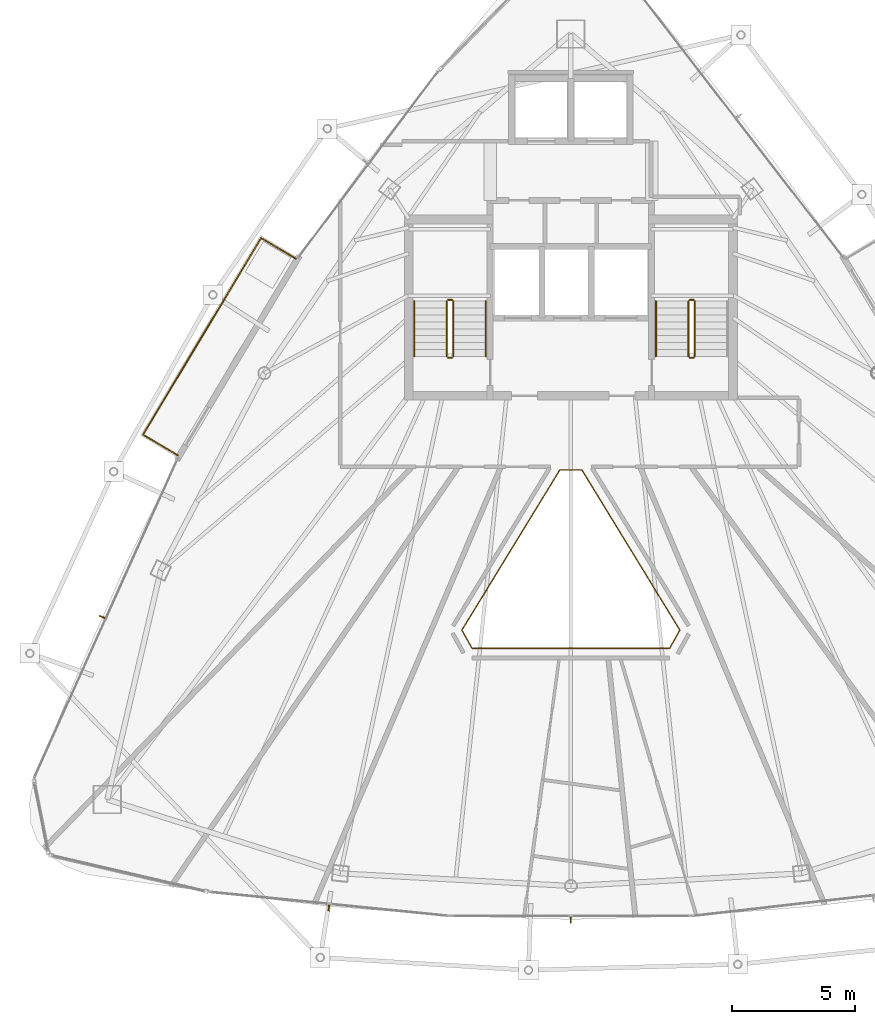
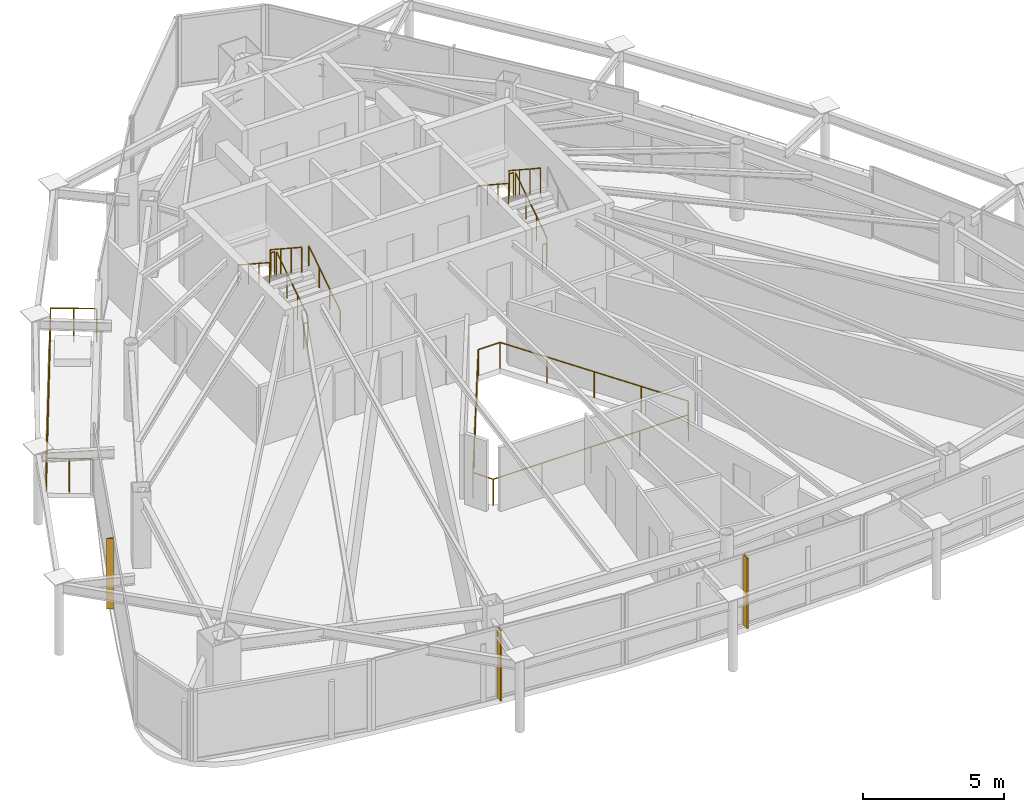
# One storey, part 27 of 28: 13 railings, 3 shading devices.
"""IFC4 building model written with IfcOpenShell, lengths in metres."""

from ifc_helpers import new_model, si_unit, direction, frame, origin, origin_2d, place, context, subcontext, project, spatial, rectangle, circle, extrude, material, layer, layer_set, type_object, element, save


model = new_model("IFC4")

# Units and contexts
model_context = context("Model", 3, precision=1e-05, world=origin(), true_north=direction((0.0, 1.0)))
body_context = subcontext(model_context, "Body", "Model", "MODEL_VIEW")
ifc_project = project(units=[si_unit("LENGTHUNIT", "METRE"), si_unit("AREAUNIT", "SQUARE_METRE"), si_unit("VOLUMEUNIT", "CUBIC_METRE"), si_unit("PLANEANGLEUNIT", "RADIAN"), si_unit("MASSUNIT", "GRAM", prefix="KILO")], contexts=[model_context])

# Site, building, storey
site_placement = place(None, origin())
site = spatial("IfcSite", under=ifc_project, at=site_placement, CompositionType="ELEMENT")
building_placement = place(site_placement, origin())
building = spatial("IfcBuilding", under=site, at=building_placement, Name="Orvanel Arch Residences", CompositionType="ELEMENT")
storey_placement = place(building_placement, frame((0.0, 0.0, 266.75)))
storey = spatial("IfcBuildingStorey", under=building, at=storey_placement, Name="L76", CompositionType="ELEMENT", Elevation=266.75)

# Shading devices
ifc_material_1 = material(Name="Bronze-anodised aluminium AA6063-T6", Category="aluminium")
ifc_layer = layer(ifc_material_1, 0.050048828125)
ifc_layer_set = layer_set([ifc_layer], Name="Bronze-anodised aluminium AA6063-T6")
shading_device_type = type_object("IfcShadingDeviceType", Name="FIN-BRZ-260", PredefinedType="USERDEFINED", material=ifc_layer_set)
for number, where, z_axis, x_axis, name in (
    (1, (13.998046875, 17.75, 0.0), (0.0, 0.0, 1.0), (-0.912120116172, 0.409923033842, 0.0), "L76 Anodised Bronze Mullion FIN 01"),
    (2, (23.18310546875, 5.9599609375, 0.0), (0.0, 0.0, 1.0), (-0.099319749744, -0.995055569961, 0.0), "L76 Anodised Bronze Mullion FIN 01"),
    (3, (33.0, 5.468017578125, 0.0), (0.0, 0.0, 1.0), (0.0, -1.0, 0.0), "L76 Anodised Bronze Mullion FIN 01"),
):
    element("IfcShadingDevice", number, at=place(storey_placement, frame(where, z_axis=z_axis, x_axis=x_axis)), inside=storey, type_object=shading_device_type, Name=name, ObjectType="FIN", PredefinedType="USERDEFINED", context=body_context, shape_type="SweptSolid", body=[
        extrude(rectangle(XDim=0.260009765625, YDim=0.050048828125, at=origin_2d()), origin(), (0.0, 0.0, 1.0), 3.06005859375),
    ])

# Railings
railing_type_1 = type_object("IfcRailingType", Name="RL-ATR-1150", PredefinedType="BALUSTRADE", material=ifc_material_1)
railing_1_placement = place(storey_placement, frame((33.447021484375, 23.7119140625, 0.0)))
element("IfcRailing", 4, at=railing_1_placement, inside=storey, type_object=railing_type_1, Name="L76 Atrium Void Protective Balustrade", PredefinedType="BALUSTRADE", context=body_context, shape_type="SweptSolid", body=[
    extrude(circle(Radius=0.02392578125, at=origin_2d()), frame((-0.00146484375, 0.0, 1.1259765625), z_axis=(-1.0, 0.0, 0.0), x_axis=(0.0, -1.0, 0.0)), (0.0, 0.0, 1.0), 0.89111328125),
    extrude(circle(Radius=0.02392578125, at=origin_2d()), frame((-0.894775390625, -0.001220703125, 1.1259765625), z_axis=(-0.521612229543, -0.853182677972, 0.0), x_axis=(0.853182677972, -0.521612229543, 0.0)), (0.0, 0.0, 1.0), 7.606201171875),
    extrude(circle(Radius=0.02392578125, at=origin_2d()), frame((-4.8623046875, -6.4931640625, 1.1259765625), z_axis=(0.488629954368, -0.872491127573, 0.0), x_axis=(0.872491127573, 0.488629954368, 0.0)), (0.0, 0.0, 1.0), 0.8359375),
    extrude(circle(Radius=0.02392578125, at=origin_2d()), frame((-4.45166015625, -7.223876953125, 1.1259765625), z_axis=(1.0, 0.0, 0.0), x_axis=(0.0, 1.0, 0.0)), (0.0, 0.0, 1.0), 8.00927734375),
    extrude(circle(Radius=0.02392578125, at=origin_2d()), frame((3.559814453125, -7.22265625, 1.1259765625), z_axis=(0.488629954368, 0.872491127573, 0.0), x_axis=(-0.872491127573, 0.488629954368, 0.0)), (0.0, 0.0, 1.0), 0.8359375),
    extrude(circle(Radius=0.02392578125, at=origin_2d()), frame((3.96826171875, -6.49072265625, 1.1259765625), z_axis=(-0.521612229543, 0.853182677972, 0.0), x_axis=(-0.853182677972, -0.521612229543, 0.0)), (0.0, 0.0, 1.0), 7.606201171875),
    extrude(circle(Radius=0.02099609375, at=origin_2d()), origin(), (0.0, 0.0, 1.0), 1.099853515625),
    extrude(circle(Radius=0.02099609375, at=origin_2d()), frame((-0.89404296875, 0.0, 0.0)), (0.0, 0.0, 1.0), 1.099853515625),
    extrude(circle(Radius=0.02099609375, at=origin_2d()), frame((-1.88623046875, -1.623046875, 0.0)), (0.0, 0.0, 1.0), 1.099853515625),
    extrude(circle(Radius=0.02099609375, at=origin_2d()), frame((-2.87841796875, -3.24609375, 0.0)), (0.0, 0.0, 1.0), 1.099853515625),
    extrude(circle(Radius=0.02099609375, at=origin_2d()), frame((-3.870849609375, -4.868896484375, 0.0)), (0.0, 0.0, 1.0), 1.099853515625),
    extrude(circle(Radius=0.02099609375, at=origin_2d()), frame((-4.863037109375, -6.491943359375, 0.0)), (0.0, 0.0, 1.0), 1.099853515625),
    extrude(circle(Radius=0.02099609375, at=origin_2d()), frame((-4.453125, -7.223876953125, 0.0)), (0.0, 0.0, 1.0), 1.099853515625),
    extrude(circle(Radius=0.02099609375, at=origin_2d()), frame((-2.4501953125, -7.223876953125, 0.0)), (0.0, 0.0, 1.0), 1.099853515625),
    extrude(circle(Radius=0.02099609375, at=origin_2d()), frame((-0.447021484375, -7.223876953125, 0.0)), (0.0, 0.0, 1.0), 1.099853515625),
    extrude(circle(Radius=0.02099609375, at=origin_2d()), frame((1.55615234375, -7.223876953125, 0.0)), (0.0, 0.0, 1.0), 1.099853515625),
    extrude(circle(Radius=0.02099609375, at=origin_2d()), frame((3.55908203125, -7.223876953125, 0.0)), (0.0, 0.0, 1.0), 1.099853515625),
    extrude(circle(Radius=0.02099609375, at=origin_2d()), frame((3.968994140625, -6.491943359375, 0.0)), (0.0, 0.0, 1.0), 1.099853515625),
    extrude(circle(Radius=0.02099609375, at=origin_2d()), frame((2.976806640625, -4.868896484375, 0.0)), (0.0, 0.0, 1.0), 1.099853515625),
    extrude(circle(Radius=0.02099609375, at=origin_2d()), frame((1.984375, -3.24609375, 0.0)), (0.0, 0.0, 1.0), 1.099853515625),
    extrude(circle(Radius=0.02099609375, at=origin_2d()), frame((0.9921875, -1.623046875, 0.0)), (0.0, 0.0, 1.0), 1.099853515625),
])
railing_type_2 = type_object("IfcRailingType", Name="RL-BAL-1480", PredefinedType="BALUSTRADE", material=ifc_material_1)
railing_2_placement = place(storey_placement, frame((21.844970703125, 32.282958984375, 0.0)))
element("IfcRailing", 5, at=railing_2_placement, inside=storey, type_object=railing_type_2, Name="L76 Balcony Perimeter Guardrail Face 1", PredefinedType="BALUSTRADE", context=body_context, shape_type="SweptSolid", body=[
    extrude(circle(Radius=0.02392578125, at=origin_2d()), frame((-0.001220703125, 0.000732421875, 1.4560546875), z_axis=(-0.857387817543, 0.514670895164, 0.0), x_axis=(-0.514670895164, -0.857387817543, 0.0)), (0.0, 0.0, 1.0), 1.636962890625),
    extrude(circle(Radius=0.02392578125, at=origin_2d()), frame((-1.40673828125, 0.8427734375, 1.4560546875), z_axis=(-0.514422430239, -0.857536916562, 0.0), x_axis=(0.857536916562, -0.514422430239, 0.0)), (0.0, 0.0, 1.0), 9.300537109375),
    extrude(circle(Radius=0.02392578125, at=origin_2d()), frame((-6.190673828125, -7.134765625, 1.4560546875), z_axis=(0.857545439568, -0.514408222208, 0.0), x_axis=(0.514408222208, 0.857545439568, 0.0)), (0.0, 0.0, 1.0), 1.6376953125),
    extrude(circle(Radius=0.02099609375, at=origin_2d()), origin(), (0.0, 0.0, 1.0), 1.429931640625),
    extrude(circle(Radius=0.02099609375, at=origin_2d()), frame((-0.703125, 0.421875, 0.0)), (0.0, 0.0, 1.0), 1.429931640625),
    extrude(circle(Radius=0.02099609375, at=origin_2d()), frame((-1.406005859375, 0.843994140625, 0.0)), (0.0, 0.0, 1.0), 1.429931640625),
    extrude(circle(Radius=0.02099609375, at=origin_2d()), frame((-2.004150390625, -0.1533203125, 0.0)), (0.0, 0.0, 1.0), 1.429931640625),
    extrude(circle(Radius=0.02099609375, at=origin_2d()), frame((-2.6025390625, -1.150390625, 0.0)), (0.0, 0.0, 1.0), 1.429931640625),
    extrude(circle(Radius=0.02099609375, at=origin_2d()), frame((-3.20068359375, -2.147705078125, 0.0)), (0.0, 0.0, 1.0), 1.429931640625),
    extrude(circle(Radius=0.02099609375, at=origin_2d()), frame((-3.798828125, -3.14501953125, 0.0)), (0.0, 0.0, 1.0), 1.429931640625),
    extrude(circle(Radius=0.02099609375, at=origin_2d()), frame((-4.397216796875, -4.142333984375, 0.0)), (0.0, 0.0, 1.0), 1.429931640625),
    extrude(circle(Radius=0.02099609375, at=origin_2d()), frame((-4.995361328125, -5.1396484375, 0.0)), (0.0, 0.0, 1.0), 1.429931640625),
    extrude(circle(Radius=0.02099609375, at=origin_2d()), frame((-5.59375, -6.13671875, 0.0)), (0.0, 0.0, 1.0), 1.429931640625),
    extrude(circle(Radius=0.02099609375, at=origin_2d()), frame((-6.19189453125, -7.134033203125, 0.0)), (0.0, 0.0, 1.0), 1.429931640625),
    extrude(circle(Radius=0.02099609375, at=origin_2d()), frame((-5.48828125, -7.55615234375, 0.0)), (0.0, 0.0, 1.0), 1.429931640625),
    extrude(circle(Radius=0.02099609375, at=origin_2d()), frame((-4.784912109375, -7.97802734375, 0.0)), (0.0, 0.0, 1.0), 1.429931640625),
])
ifc_material_2 = material(Name="Structural steel AS/NZS 1163 C350L0 (Grade 350)", Category="steel")
railing_type_3 = type_object("IfcRailingType", Name="RL-STAIR-GUARD", PredefinedType="GUARDRAIL", material=ifc_material_2)
railing_3_placement = place(storey_placement, frame((28.22998046875, 28.320068359375, 0.183349609375)))
element("IfcRailing", 6, at=railing_3_placement, inside=storey, type_object=railing_type_3, Name="L76 ST-1 stair guard 1", PredefinedType="GUARDRAIL", context=body_context, shape_type="SweptSolid", body=[
    extrude(circle(Radius=0.02392578125, at=origin_2d()), frame((0.0, 0.001220703125, 1.076904296875), z_axis=(0.0, 0.836636935527, 0.547757827979), x_axis=(-1.0, 0.0, 0.0)), (0.0, 0.0, 1.0), 2.67431640625),
    extrude(circle(Radius=0.02099609375, at=origin_2d()), origin(), (0.0, 0.0, 1.0), 1.050048828125),
    extrude(circle(Radius=0.02099609375, at=origin_2d()), frame((0.0, 0.74658203125, 0.48876953125)), (0.0, 0.0, 1.0), 1.050048828125),
    extrude(circle(Radius=0.02099609375, at=origin_2d()), frame((0.0, 1.493408203125, 0.977783203125)), (0.0, 0.0, 1.0), 1.050048828125),
    extrude(circle(Radius=0.02099609375, at=origin_2d()), frame((0.0, 2.239990234375, 1.466552734375)), (0.0, 0.0, 1.0), 1.050048828125),
])
railing_4_placement = place(storey_placement, frame((28.179931640625, 30.610107421875, 1.64990234375)))
element("IfcRailing", 7, at=railing_4_placement, inside=storey, type_object=railing_type_3, Name="L76 ST-1 stair guard 2", PredefinedType="GUARDRAIL", context=body_context, shape_type="SweptSolid", body=[
    extrude(circle(Radius=0.02392578125, at=origin_2d()), frame((-0.00146484375, 0.0, 1.076171875), z_axis=(-1.0, 0.0, 0.0), x_axis=(0.0, -1.0, 0.0)), (0.0, 0.0, 1.0), 0.156982421875),
    extrude(circle(Radius=0.02099609375, at=origin_2d()), origin(), (0.0, 0.0, 1.0), 1.050048828125),
    extrude(circle(Radius=0.02099609375, at=origin_2d()), frame((-0.159912109375, 0.0, 0.0)), (0.0, 0.0, 1.0), 1.050048828125),
])
railing_5_placement = place(storey_placement, frame((27.969970703125, 30.56005859375, 1.833251953125)))
element("IfcRailing", 8, at=railing_5_placement, inside=storey, type_object=railing_type_3, Name="L76 ST-1 stair guard 3", PredefinedType="GUARDRAIL", context=body_context, shape_type="SweptSolid", body=[
    extrude(circle(Radius=0.02392578125, at=origin_2d()), frame((0.0, -0.001220703125, 1.076904296875), z_axis=(0.0, -0.836595146698, 0.547821650285), x_axis=(1.0, 0.0, 0.0)), (0.0, 0.0, 1.0), 2.674560546875),
    extrude(circle(Radius=0.02099609375, at=origin_2d()), origin(), (0.0, 0.0, 1.0), 1.050048828125),
    extrude(circle(Radius=0.02099609375, at=origin_2d()), frame((0.0, -0.74658203125, 0.489013671875)), (0.0, 0.0, 1.0), 1.050048828125),
    extrude(circle(Radius=0.02099609375, at=origin_2d()), frame((0.0, -1.493408203125, 0.977783203125)), (0.0, 0.0, 1.0), 1.050048828125),
    extrude(circle(Radius=0.02099609375, at=origin_2d()), frame((0.0, -2.239990234375, 1.466796875)), (0.0, 0.0, 1.0), 1.050048828125),
])
railing_6_placement = place(storey_placement, frame((28.179931640625, 28.27001953125, 0.0)))
element("IfcRailing", 9, at=railing_6_placement, inside=storey, type_object=railing_type_3, Name="L76 ST-1 stair guard 4", PredefinedType="GUARDRAIL", context=body_context, shape_type="SweptSolid", body=[
    extrude(circle(Radius=0.02392578125, at=origin_2d()), frame((-0.00146484375, 0.0, 1.076171875), z_axis=(-1.0, 0.0, 0.0), x_axis=(0.0, -1.0, 0.0)), (0.0, 0.0, 1.0), 0.156982421875),
    extrude(circle(Radius=0.02099609375, at=origin_2d()), origin(), (0.0, 0.0, 1.0), 1.050048828125),
    extrude(circle(Radius=0.02099609375, at=origin_2d()), frame((-0.159912109375, 0.0, 0.0)), (0.0, 0.0, 1.0), 1.050048828125),
])
railing_7_placement = place(storey_placement, frame((38.030029296875, 28.320068359375, 0.183349609375)))
element("IfcRailing", 10, at=railing_7_placement, inside=storey, type_object=railing_type_3, Name="L76 ST-2 stair guard 1", PredefinedType="GUARDRAIL", context=body_context, shape_type="SweptSolid", body=[
    extrude(circle(Radius=0.02392578125, at=origin_2d()), frame((0.0, 0.001220703125, 1.076904296875), z_axis=(0.0, 0.836636935527, 0.547757827979), x_axis=(-1.0, 0.0, 0.0)), (0.0, 0.0, 1.0), 2.67431640625),
    extrude(circle(Radius=0.02099609375, at=origin_2d()), origin(), (0.0, 0.0, 1.0), 1.050048828125),
    extrude(circle(Radius=0.02099609375, at=origin_2d()), frame((0.0, 0.74658203125, 0.48876953125)), (0.0, 0.0, 1.0), 1.050048828125),
    extrude(circle(Radius=0.02099609375, at=origin_2d()), frame((0.0, 1.493408203125, 0.977783203125)), (0.0, 0.0, 1.0), 1.050048828125),
    extrude(circle(Radius=0.02099609375, at=origin_2d()), frame((0.0, 2.239990234375, 1.466552734375)), (0.0, 0.0, 1.0), 1.050048828125),
])
railing_8_placement = place(storey_placement, frame((37.97998046875, 30.610107421875, 1.64990234375)))
element("IfcRailing", 11, at=railing_8_placement, inside=storey, type_object=railing_type_3, Name="L76 ST-2 stair guard 2", PredefinedType="GUARDRAIL", context=body_context, shape_type="SweptSolid", body=[
    extrude(circle(Radius=0.02392578125, at=origin_2d()), frame((-0.00146484375, 0.0, 1.076171875), z_axis=(-1.0, 0.0, 0.0), x_axis=(0.0, -1.0, 0.0)), (0.0, 0.0, 1.0), 0.156982421875),
    extrude(circle(Radius=0.02099609375, at=origin_2d()), origin(), (0.0, 0.0, 1.0), 1.050048828125),
    extrude(circle(Radius=0.02099609375, at=origin_2d()), frame((-0.159912109375, 0.0, 0.0)), (0.0, 0.0, 1.0), 1.050048828125),
])
railing_9_placement = place(storey_placement, frame((37.77001953125, 30.56005859375, 1.833251953125)))
element("IfcRailing", 12, at=railing_9_placement, inside=storey, type_object=railing_type_3, Name="L76 ST-2 stair guard 3", PredefinedType="GUARDRAIL", context=body_context, shape_type="SweptSolid", body=[
    extrude(circle(Radius=0.02392578125, at=origin_2d()), frame((0.0, -0.001220703125, 1.076904296875), z_axis=(0.0, -0.836595146698, 0.547821650285), x_axis=(1.0, 0.0, 0.0)), (0.0, 0.0, 1.0), 2.674560546875),
    extrude(circle(Radius=0.02099609375, at=origin_2d()), origin(), (0.0, 0.0, 1.0), 1.050048828125),
    extrude(circle(Radius=0.02099609375, at=origin_2d()), frame((0.0, -0.74658203125, 0.489013671875)), (0.0, 0.0, 1.0), 1.050048828125),
    extrude(circle(Radius=0.02099609375, at=origin_2d()), frame((0.0, -1.493408203125, 0.977783203125)), (0.0, 0.0, 1.0), 1.050048828125),
    extrude(circle(Radius=0.02099609375, at=origin_2d()), frame((0.0, -2.239990234375, 1.466796875)), (0.0, 0.0, 1.0), 1.050048828125),
])
railing_10_placement = place(storey_placement, frame((37.97998046875, 28.27001953125, 0.0)))
element("IfcRailing", 13, at=railing_10_placement, inside=storey, type_object=railing_type_3, Name="L76 ST-2 stair guard 4", PredefinedType="GUARDRAIL", context=body_context, shape_type="SweptSolid", body=[
    extrude(circle(Radius=0.02392578125, at=origin_2d()), frame((-0.00146484375, 0.0, 1.076171875), z_axis=(-1.0, 0.0, 0.0), x_axis=(0.0, -1.0, 0.0)), (0.0, 0.0, 1.0), 0.156982421875),
    extrude(circle(Radius=0.02099609375, at=origin_2d()), origin(), (0.0, 0.0, 1.0), 1.050048828125),
    extrude(circle(Radius=0.02099609375, at=origin_2d()), frame((-0.159912109375, 0.0, 0.0)), (0.0, 0.0, 1.0), 1.050048828125),
])
railing_type_4 = type_object("IfcRailingType", Name="RL-STAIR-HAND", PredefinedType="HANDRAIL", material=ifc_material_2)
railing_11_placement = place(storey_placement, frame((29.550048828125, 28.320068359375, 0.183349609375)))
element("IfcRailing", 14, at=railing_11_placement, inside=storey, type_object=railing_type_4, Name="L76 ST-1 stair handrail 1", PredefinedType="HANDRAIL", context=body_context, shape_type="SweptSolid", body=[
    extrude(circle(Radius=0.02392578125, at=origin_2d()), frame((0.0, 0.001220703125, 0.876708984375), z_axis=(0.0, 0.836636935527, 0.547757827979), x_axis=(-1.0, 0.0, 0.0)), (0.0, 0.0, 1.0), 2.67431640625),
    extrude(circle(Radius=0.02099609375, at=origin_2d()), origin(), (0.0, 0.0, 1.0), 0.849853515625),
    extrude(circle(Radius=0.02099609375, at=origin_2d()), frame((0.0, 0.74658203125, 0.48876953125)), (0.0, 0.0, 1.0), 0.849853515625),
    extrude(circle(Radius=0.02099609375, at=origin_2d()), frame((0.0, 1.493408203125, 0.977783203125)), (0.0, 0.0, 1.0), 0.849853515625),
    extrude(circle(Radius=0.02099609375, at=origin_2d()), frame((0.0, 2.239990234375, 1.466552734375)), (0.0, 0.0, 1.0), 0.849853515625),
])
for number, where, name in (
    (15, (26.64990234375, 30.56005859375, 1.833251953125), "L76 ST-1 stair handrail 2"),
    (16, (36.449951171875, 30.56005859375, 1.833251953125), "L76 ST-2 stair handrail 2"),
):
    element("IfcRailing", number, at=place(storey_placement, frame(where)), inside=storey, type_object=railing_type_4, Name=name, PredefinedType="HANDRAIL", context=body_context, shape_type="SweptSolid", body=[
        extrude(circle(Radius=0.02392578125, at=origin_2d()), frame((0.0, -0.001220703125, 0.876708984375), z_axis=(0.0, -0.836595146698, 0.547821650285), x_axis=(1.0, 0.0, 0.0)), (0.0, 0.0, 1.0), 2.674560546875),
        extrude(circle(Radius=0.02099609375, at=origin_2d()), origin(), (0.0, 0.0, 1.0), 0.849853515625),
        extrude(circle(Radius=0.02099609375, at=origin_2d()), frame((0.0, -0.74658203125, 0.489013671875)), (0.0, 0.0, 1.0), 0.849853515625),
        extrude(circle(Radius=0.02099609375, at=origin_2d()), frame((0.0, -1.493408203125, 0.977783203125)), (0.0, 0.0, 1.0), 0.849853515625),
        extrude(circle(Radius=0.02099609375, at=origin_2d()), frame((0.0, -2.239990234375, 1.466796875)), (0.0, 0.0, 1.0), 0.849853515625),
    ])

save(model, "model.ifc")
